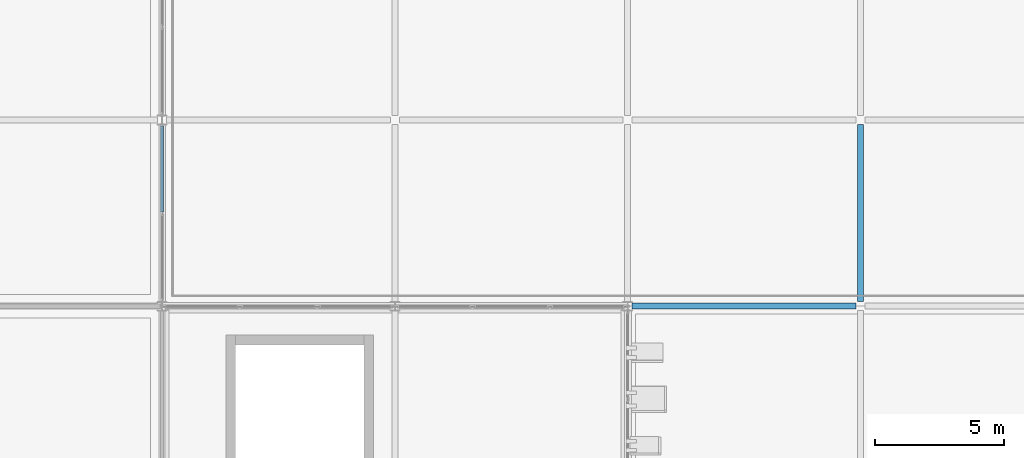
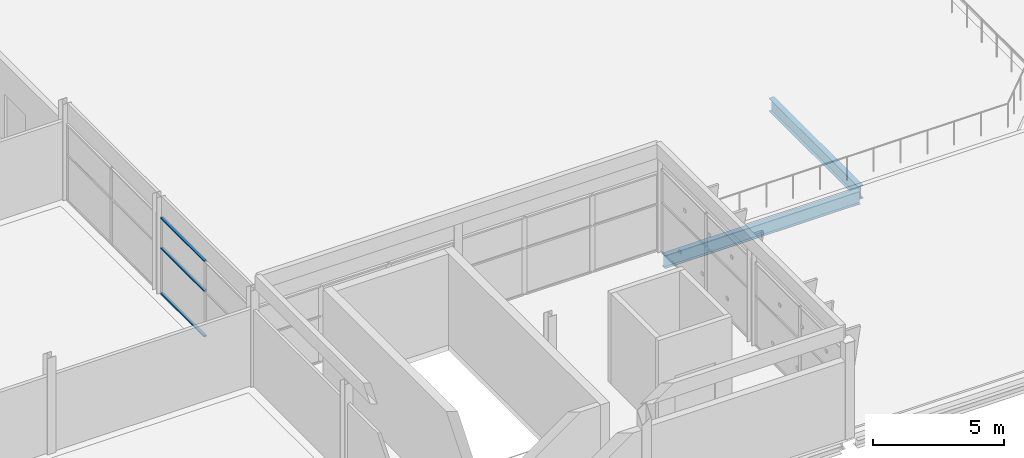
# One storey, part 37 of 78: 3 members, 2 beams, 1 element without a shape of its own.
"""IFC4 building model written with IfcOpenShell, lengths in metres."""

import ifcopenshell
import ifcopenshell.guid

model = None  # the IFC model being written
_history = None  # IfcOwnerHistory: only IFC2X3 demands one
_inside = {}  # id of a spatial element -> (the spatial element, [elements in it])
_under = {}  # id of a project, library or spatial element -> (it, [spatial elements below it])
_declared = {}  # id of a project -> (the project, [libraries it declares])
_typed = {}  # id of a type object -> (the type object, [elements of that type])
_made_of = {}  # id of a material, layer set ... -> (it, [elements and type objects made of it])


def new_model(schema):
    """Start an empty IFC model of exactly this schema.

    Asked for "IFC4X3", IfcOpenShell would pick the latest addendum, in which some entities
    have other attributes; the version numbers below select the first issue.
    IFC2X3 requires an IfcOwnerHistory on every rooted entity: one is made here for all.
    """
    global model, _history
    if schema == "IFC4X3":
        model = ifcopenshell.file(schema_version=(4, 3, 0, 0))
    else:
        model = ifcopenshell.file(schema=schema)
    _inside.clear()
    _under.clear()
    _declared.clear()
    _typed.clear()
    _made_of.clear()
    _history = None
    if model.schema == "IFC2X3":
        org = make("IfcOrganization", Name="unknown")
        user = make(
            "IfcPersonAndOrganization",
            ThePerson=make("IfcPerson", FamilyName="unknown"),
            TheOrganization=org,
        )
        app = make(
            "IfcApplication",
            ApplicationDeveloper=org,
            Version="unknown",
            ApplicationFullName="unknown",
            ApplicationIdentifier="unknown",
        )
        _history = make(
            "IfcOwnerHistory",
            OwningUser=user,
            OwningApplication=app,
            ChangeAction="ADDED",
            CreationDate=0,
        )
    return model


def make(cls, **values):
    """One entity of the class cls with the attributes given. An attribute that is None is left unset."""
    return model.create_entity(
        cls, **{name: value for name, value in values.items() if value is not None}
    )


def rooted(cls, **values):
    """An entity with a GlobalId (a new one), such as an element, a storey or a relation."""
    return make(cls, GlobalId=ifcopenshell.guid.new(), OwnerHistory=_history, **values)


def si_unit(unit_type, name, prefix=None):
    """IfcSIUnit, for example si_unit("LENGTHUNIT", "METRE", prefix="MILLI")."""
    return make("IfcSIUnit", UnitType=unit_type, Prefix=prefix, Name=name)


def assignment(units):
    """IfcUnitAssignment: the units of a project."""
    return None if units is None else make("IfcUnitAssignment", Units=units)


def point(xyz):
    """IfcCartesianPoint."""
    return None if xyz is None else make("IfcCartesianPoint", Coordinates=xyz)


def direction(xyz):
    """IfcDirection."""
    return None if xyz is None else make("IfcDirection", DirectionRatios=xyz)


def frame(location, z_axis=None, x_axis=None):
    """IfcAxis2Placement3D, a coordinate frame: its origin and axes. An axis left out is left unset."""
    return make(
        "IfcAxis2Placement3D",
        Location=point(location),
        Axis=direction(z_axis),
        RefDirection=direction(x_axis),
    )


def frame_2d(location, x_axis=None):
    """IfcAxis2Placement2D, a coordinate frame in the plane: its origin and x axis."""
    return make(
        "IfcAxis2Placement2D", Location=point(location), RefDirection=direction(x_axis)
    )


def origin():
    """The frame at (0, 0, 0) with its axes left unset."""
    return frame((0.0, 0.0, 0.0))


def origin_2d():
    """The frame at (0, 0) in the plane with its x axis left unset."""
    return frame_2d((0.0, 0.0))


def place(relative_to, where):
    """IfcLocalPlacement: puts the frame where relative to a parent placement (None: the world)."""
    return make(
        "IfcLocalPlacement", PlacementRelTo=relative_to, RelativePlacement=where
    )


def context(
    kind, dimensions, precision=None, world=None, true_north=None, identifier=None
):
    """IfcGeometricRepresentationContext, for example the 3D "Model" context."""
    return make(
        "IfcGeometricRepresentationContext",
        ContextIdentifier=identifier,
        ContextType=kind,
        CoordinateSpaceDimension=dimensions,
        Precision=precision,
        WorldCoordinateSystem=world,
        TrueNorth=true_north,
    )


def subcontext(parent, identifier, kind, view, scale=None):
    """IfcGeometricRepresentationSubContext, for example "Body" below "Model"."""
    return make(
        "IfcGeometricRepresentationSubContext",
        ContextIdentifier=identifier,
        ContextType=kind,
        ParentContext=parent,
        TargetScale=scale,
        TargetView=view,
    )


def project(units=None, contexts=None):
    """IfcProject with its units and contexts."""
    return rooted(
        "IfcProject",
        Name="project",
        RepresentationContexts=contexts,
        UnitsInContext=assignment(units),
    )


def spatial(cls, under=None, at=None, **own):
    """A site, building, storey or space (cls), placed at a placement, below another one or the project."""
    s = rooted(cls, ObjectPlacement=at, **own)
    if under is not None:
        _under.setdefault(under.id(), (under, []))[1].append(s)
    return s


def profile(cls, at=None, kind="AREA", **sizes):
    """A parametric profile (cls). Its sizes go by their IFC names, for example OverallWidth=200.0."""
    return make(cls, ProfileType=kind, Position=at, **sizes)


def hollow_rectangle(**sizes):
    """IfcRectangleHollowProfileDef."""
    return profile("IfcRectangleHollowProfileDef", **sizes)


def i_section(**sizes):
    """IfcIShapeProfileDef."""
    return profile("IfcIShapeProfileDef", **sizes)


def extrude(swept, where, along, depth):
    """IfcExtrudedAreaSolid: the profile swept, set in the frame where, extruded along a direction by depth."""
    return make(
        "IfcExtrudedAreaSolid",
        SweptArea=swept,
        Position=where,
        ExtrudedDirection=direction(along),
        Depth=depth,
    )


def shape(context_of_items, identifier, shape_type, items):
    """IfcShapeRepresentation: the items that make up one representation, for example the "Body"."""
    return make(
        "IfcShapeRepresentation",
        ContextOfItems=context_of_items,
        RepresentationIdentifier=identifier,
        RepresentationType=shape_type,
        Items=items,
    )


def material(Name=None, Category=None):
    """IfcMaterial."""
    return make("IfcMaterial", Name=Name, Category=Category)


def layer(
    of_material, thickness, ventilated=None, Name=None, Category=None, Priority=None
):
    """IfcMaterialLayer: one layer of a wall or slab, of a material (None: an air gap)."""
    return make(
        "IfcMaterialLayer",
        Material=of_material,
        LayerThickness=thickness,
        IsVentilated=ventilated,
        Name=Name,
        Category=Category,
        Priority=Priority,
    )


def layer_set(layers, Name=None):
    """IfcMaterialLayerSet."""
    return make("IfcMaterialLayerSet", MaterialLayers=layers, LayerSetName=Name)


def material_profile(
    of_material, cross_section, Name=None, Category=None, Priority=None
):
    """IfcMaterialProfile: a cross section and its material."""
    return make(
        "IfcMaterialProfile",
        Name=Name,
        Material=of_material,
        Profile=cross_section,
        Priority=Priority,
        Category=Category,
    )


def profile_set(profiles, Name=None, composite=None):
    """IfcMaterialProfileSet."""
    return make(
        "IfcMaterialProfileSet",
        Name=Name,
        MaterialProfiles=profiles,
        CompositeProfile=composite,
    )


def made_of(thing, what):
    """Note that an element or type object is made of a material, layer set ...; save() writes the relation."""
    if what is not None:
        _made_of.setdefault(what.id(), (what, []))[1].append(thing)
    return thing


def type_object(cls, material=None, **own):
    """A type object (cls), such as IfcWallType, which elements share."""
    return made_of(rooted(cls, **own), material)


def element(
    cls,
    number,
    at=None,
    inside=None,
    cuts=None,
    type_object=None,
    material=None,
    context=None,
    identifier="Body",
    shape_type=None,
    held_by="IfcProductDefinitionShape",
    body=None,
    shapes=None,
    **own,
):
    """One element of the class cls, such as IfcWall. Its Tag is "e" and its number.

    at: its placement. inside: the storey or other place that contains it. cuts: it is an
    opening in that element (IfcRelVoidsElement). A single representation is given by context,
    identifier, shape_type and body (its items); several are given by shapes. held_by: the class
    of the entity that holds the representations. save() writes the other relations.
    """
    e = rooted(cls, Tag="e%d" % number, ObjectPlacement=at, **own)
    if body is not None:
        shapes = [shape(context, identifier, shape_type, body)]
    if shapes is not None:
        e.Representation = make(held_by, Representations=shapes)
    if inside is not None:
        _inside.setdefault(inside.id(), (inside, []))[1].append(e)
    if cuts is not None:
        rooted(
            "IfcRelVoidsElement", RelatingBuildingElement=cuts, RelatedOpeningElement=e
        )
    if type_object is not None:
        _typed.setdefault(type_object.id(), (type_object, []))[1].append(e)
    return made_of(e, material)


def aggregate(whole, parts):
    """IfcRelAggregates: a whole, such as a stair, and the parts it consists of."""
    return rooted("IfcRelAggregates", RelatingObject=whole, RelatedObjects=parts)


def save(model, path):
    """Write the relations noted so far, then the file.

    IfcRelAggregates (storeys below a building ...), IfcRelContainedInSpatialStructure (elements
    in a storey), IfcRelDefinesByType, IfcRelAssociatesMaterial and IfcRelDeclares: one each for
    every whole, place, type object, material and project.
    """
    for whole, parts in _under.values():
        aggregate(whole, parts)
    for where, things in _inside.values():
        rooted(
            "IfcRelContainedInSpatialStructure",
            RelatedElements=things,
            RelatingStructure=where,
        )
    for kind, things in _typed.values():
        rooted("IfcRelDefinesByType", RelatedObjects=things, RelatingType=kind)
    for what, things in _made_of.values():
        rooted("IfcRelAssociatesMaterial", RelatedObjects=things, RelatingMaterial=what)
    for by, libraries in _declared.values():
        rooted("IfcRelDeclares", RelatingContext=by, RelatedDefinitions=libraries)
    model.write(path)


model = new_model("IFC4")

# Units and contexts
model_context = context("Model", 3, precision=1e-05, world=origin(), true_north=direction((0.0, 1.0)))
body_context = subcontext(model_context, "Body", "Model", "MODEL_VIEW")
ifc_project = project(units=[si_unit("LENGTHUNIT", "METRE"), si_unit("AREAUNIT", "SQUARE_METRE"), si_unit("VOLUMEUNIT", "CUBIC_METRE"), si_unit("PLANEANGLEUNIT", "RADIAN"), si_unit("MASSUNIT", "GRAM", prefix="KILO")], contexts=[model_context])

# Site, building, storey
site_placement = place(None, origin())
site = spatial("IfcSite", under=ifc_project, at=site_placement, CompositionType="ELEMENT")
building_placement = place(site_placement, origin())
building = spatial("IfcBuilding", under=site, at=building_placement, Name="Celestram Park Convention Centre", CompositionType="ELEMENT")
storey_placement = place(building_placement, frame((0.0, 0.0, 19.800048828125)))
storey = spatial("IfcBuildingStorey", under=building, at=storey_placement, Name="L04", CompositionType="ELEMENT", Elevation=19.800048828125)

# Curtain wall, members
ifc_material_1 = material(Name="Anodised Aluminium Alloy 6063-T6", Category="aluminium")
ifc_layer = layer(ifc_material_1, 0.179931640625)
ifc_layer_set = layer_set([ifc_layer], Name="Anodised Aluminium Alloy 6063-T6")
curtain_wall_type = type_object("IfcCurtainWallType", Name="ARC-CW-685X359", PredefinedType="NOTDEFINED", material=ifc_layer_set)
curtain_wall_placement = place(storey_placement, origin())
curtain_wall = element("IfcCurtainWall", 1, at=curtain_wall_placement, inside=storey, type_object=curtain_wall_type, Name="Unitised curtain wall CU-L04-240", PredefinedType="NOTDEFINED")
ifc_material_profile_1 = material_profile(ifc_material_1, hollow_rectangle(XDim=0.1201171875, YDim=0.06005859375, WallThickness=0.0029296875, at=origin_2d()), Name="ALU120X60X3")
ifc_profile_set_1 = profile_set([ifc_material_profile_1], Name="Anodised Aluminium Alloy 6063-T6")
member_type = type_object("IfcMemberType", Name="ARC-CWT-120", PredefinedType="USERDEFINED", material=ifc_profile_set_1)
member_1_placement = place(storey_placement, frame((99.0, 129.35888671875, 0.030029296875), z_axis=(0.0, -1.0, 0.0), x_axis=(1.0, 0.0, 0.0)))
member_1 = element("IfcMember", 2, at=member_1_placement, type_object=member_type, Name="CW-68X35 transom 1.1", ObjectType="TRANSOM", PredefinedType="USERDEFINED", context=body_context, shape_type="SweptSolid", body=[
    extrude(hollow_rectangle(XDim=0.1201171875, YDim=0.06005859375, WallThickness=0.0029296875, at=origin_2d()), origin(), (0.0, 0.0, 1.0), 3.326416015625),
])
member_2_placement = place(storey_placement, frame((99.0, 129.35888671875, 2.15283203125), z_axis=(0.0, -1.0, 0.0), x_axis=(1.0, 0.0, 0.0)))
member_2 = element("IfcMember", 3, at=member_2_placement, type_object=member_type, Name="CW-68X35 transom 1.2", ObjectType="TRANSOM", PredefinedType="USERDEFINED", context=body_context, shape_type="SweptSolid", body=[
    extrude(hollow_rectangle(XDim=0.1201171875, YDim=0.06005859375, WallThickness=0.0029296875, at=origin_2d()), origin(), (0.0, 0.0, 1.0), 3.326416015625),
])
member_3_placement = place(storey_placement, frame((99.0, 129.35888671875, 3.557861328125), z_axis=(0.0, -1.0, 0.0), x_axis=(1.0, 0.0, 0.0)))
member_3 = element("IfcMember", 4, at=member_3_placement, type_object=member_type, Name="CW-68X35 transom 1.3", ObjectType="TRANSOM", PredefinedType="USERDEFINED", context=body_context, shape_type="SweptSolid", body=[
    extrude(hollow_rectangle(XDim=0.1201171875, YDim=0.06005859375, WallThickness=0.0029296875, at=origin_2d()), origin(), (0.0, 0.0, 1.0), 3.326416015625),
])
aggregate(curtain_wall, [member_1, member_2, member_3])

# Beams
ifc_material_2 = material(Name="Steel ASTM A992 Grade 50", Category="steel")
ifc_material_profile_2 = material_profile(ifc_material_2, i_section(OverallWidth=0.22900390625, OverallDepth=0.612060546875, WebThickness=0.011962890625, FlangeThickness=0.01953125, at=origin_2d()), Name="W24X84")
ifc_profile_set_2 = profile_set([ifc_material_profile_2], Name="Steel ASTM A992 Grade 50")
beam_type = type_object("IfcBeamType", Name="STR-BM-W24X84", PredefinedType="BEAM", material=ifc_profile_set_2)
beam_1_placement = place(storey_placement, frame((117.173095703125, 122.39990234375, -0.60595703125), z_axis=(1.0, 0.0, 0.0), x_axis=(0.0, 1.0, 0.0)))
element("IfcBeam", 5, at=beam_1_placement, inside=storey, type_object=beam_type, Name="Primary X-girder BG-L04-0134", PredefinedType="BEAM", context=body_context, shape_type="SweptSolid", body=[
    extrude(i_section(OverallWidth=0.22900390625, OverallDepth=0.612060546875, WebThickness=0.011962890625, FlangeThickness=0.01953125, at=origin_2d()), origin(), (0.0, 0.0, 1.0), 8.65380859375),
])
beam_2_placement = place(storey_placement, frame((126.0, 122.572998046875, -0.60595703125), z_axis=(0.0, 1.0, 0.0), x_axis=(-1.0, 0.0, 0.0)))
element("IfcBeam", 6, at=beam_2_placement, inside=storey, type_object=beam_type, Name="Primary Y-girder BG-L04-0167", PredefinedType="BEAM", context=body_context, shape_type="SweptSolid", body=[
    extrude(i_section(OverallWidth=0.22900390625, OverallDepth=0.612060546875, WebThickness=0.011962890625, FlangeThickness=0.01953125, at=origin_2d()), origin(), (0.0, 0.0, 1.0), 6.85400390625),
])

save(model, "model.ifc")
